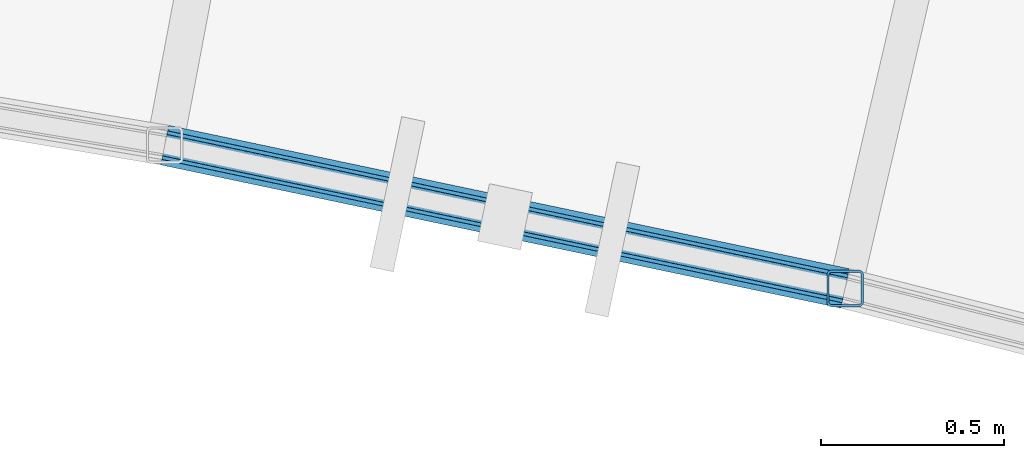
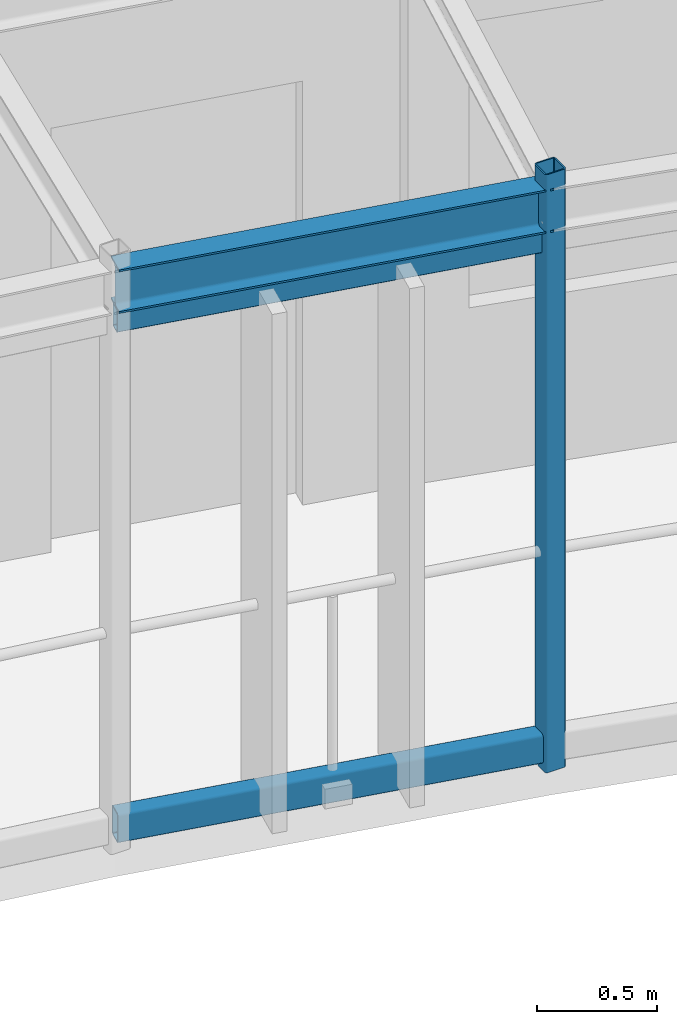
# One storey, part 29 of 100: 3 members, 1 beam.
"""IFC4 building model written with IfcOpenShell, lengths in metres."""

from ifc_helpers import new_model, si_unit, direction, frame, origin, origin_2d, place, context, subcontext, project, spatial, hollow_rectangle, i_section, extrude, material, material_profile, profile_set, type_object, element, save


model = new_model("IFC4")

# Units and contexts
model_context = context("Model", 3, precision=1e-05, world=origin(), true_north=direction((0.0, 1.0)))
body_context = subcontext(model_context, "Body", "Model", "MODEL_VIEW")
ifc_project = project(units=[si_unit("LENGTHUNIT", "METRE"), si_unit("AREAUNIT", "SQUARE_METRE"), si_unit("VOLUMEUNIT", "CUBIC_METRE"), si_unit("PLANEANGLEUNIT", "RADIAN"), si_unit("MASSUNIT", "GRAM", prefix="KILO"), si_unit("POWERUNIT", "WATT"), si_unit("THERMODYNAMICTEMPERATUREUNIT", "KELVIN")], contexts=[model_context])

# Site, building, storey
site_placement = place(None, origin())
site = spatial("IfcSite", under=ifc_project, at=site_placement, CompositionType="ELEMENT")
building_placement = place(site_placement, origin())
building = spatial("IfcBuilding", under=site, at=building_placement, Name="Ruvembo Vaulted Housing Court", CompositionType="ELEMENT")
storey_placement = place(building_placement, frame((0.0, 0.0, 10.89990234375)))
storey = spatial("IfcBuildingStorey", under=building, at=storey_placement, Name="L03", CompositionType="ELEMENT", Elevation=10.89990234375)

# Beam
ifc_material = material(Name="Steel S355J2", Category="steel")
ifc_material_profile_1 = material_profile(ifc_material, i_section(OverallWidth=0.110107421875, OverallDepth=0.219970703125, WebThickness=0.005859375, FlangeThickness=0.00927734375, FilletRadius=0.011962890625, at=origin_2d()), Name="IPE 220")
ifc_profile_set_1 = profile_set([ifc_material_profile_1], Name="Steel S355J2")
beam_type = type_object("IfcBeamType", Name="BM-ST-IPE220", PredefinedType="SPANDREL", material=ifc_profile_set_1)
beam_placement = place(storey_placement, frame((125.505615234375, 95.00341796875, 2.830078125), z_axis=(0.978529342624, -0.206107558387, 0.0), x_axis=(0.206107558387, 0.978529342624, 0.0)))
element("IfcBeam", 1, at=beam_placement, inside=storey, type_object=beam_type, Name="Scoop SC3 L03 Balcony Edge Spandrel 19", PredefinedType="SPANDREL", context=body_context, shape_type="SweptSolid", body=[
    extrude(i_section(OverallWidth=0.110107421875, OverallDepth=0.219970703125, WebThickness=0.005859375, FlangeThickness=0.00927734375, FilletRadius=0.011962890625, at=origin_2d()), origin(), (0.0, 0.0, 1.0), 1.901123046875),
])

# Members
ifc_material_profile_2 = material_profile(ifc_material, hollow_rectangle(XDim=0.06005859375, YDim=0.1201171875, WallThickness=0.0048828125, InnerFilletRadius=0.0048828125, OuterFilletRadius=0.010009765625, at=origin_2d()), Name="RHS 120x60x5")
ifc_profile_set_2 = profile_set([ifc_material_profile_2], Name="Steel S355J2")
member_type_1 = type_object("IfcMemberType", Name="MEM-CAR-RHS120", PredefinedType="CHORD", material=ifc_profile_set_2)
member_1_placement = place(storey_placement, frame((125.505615234375, 95.00341796875, 2.6630859375), z_axis=(0.978529342624, -0.206107558387, 0.0), x_axis=(0.206107558387, 0.978529342624, 0.0)))
element("IfcMember", 2, at=member_1_placement, inside=storey, type_object=member_type_1, Name="Scoop SC3 L03 Upper Louvre Carrier Rail 19", PredefinedType="CHORD", context=body_context, shape_type="SweptSolid", body=[
    extrude(hollow_rectangle(XDim=0.06005859375, YDim=0.1201171875, WallThickness=0.0048828125, InnerFilletRadius=0.0048828125, OuterFilletRadius=0.010009765625, at=origin_2d()), origin(), (0.0, 0.0, 1.0), 1.901123046875),
])
ifc_material_profile_3 = material_profile(ifc_material, hollow_rectangle(XDim=0.080078125, YDim=0.14990234375, WallThickness=0.00634765625, InnerFilletRadius=0.00634765625, OuterFilletRadius=0.0126953125, at=origin_2d()), Name="RHS 150x80x6.3")
ifc_profile_set_3 = profile_set([ifc_material_profile_3], Name="Steel S355J2")
member_type_2 = type_object("IfcMemberType", Name="MEM-CAR-RHS150", PredefinedType="CHORD", material=ifc_profile_set_3)
member_2_placement = place(storey_placement, frame((125.505615234375, 95.00341796875, 0.09521484375), z_axis=(0.978529342624, -0.206107558387, 0.0), x_axis=(0.206107558387, 0.978529342624, 0.0)))
element("IfcMember", 3, at=member_2_placement, inside=storey, type_object=member_type_2, Name="Scoop SC3 L03 Lower Louvre Carrier Rail 19", PredefinedType="CHORD", context=body_context, shape_type="SweptSolid", body=[
    extrude(hollow_rectangle(XDim=0.080078125, YDim=0.14990234375, WallThickness=0.00634765625, InnerFilletRadius=0.00634765625, OuterFilletRadius=0.0126953125, at=origin_2d()), origin(), (0.0, 0.0, 1.0), 1.901123046875),
])
ifc_material_profile_4 = material_profile(ifc_material, hollow_rectangle(XDim=0.10009765625, YDim=0.10009765625, WallThickness=0.00634765625, InnerFilletRadius=0.00634765625, OuterFilletRadius=0.0126953125, at=origin_2d()), Name="SHS 100x100x6.3")
ifc_profile_set_4 = profile_set([ifc_material_profile_4], Name="Steel S355J2")
member_type_3 = type_object("IfcMemberType", Name="MEM-FRM-SHS100", PredefinedType="STRUT", material=ifc_profile_set_4)
member_3_placement = place(storey_placement, frame((127.365966796875, 94.611572265625, -0.014892578125), z_axis=(0.0, 0.0, 1.0), x_axis=(1.0, 0.0, 0.0)))
element("IfcMember", 4, at=member_3_placement, inside=storey, type_object=member_type_3, Name="Scoop SC3 L03 Louvre Frame Post 20", PredefinedType="STRUT", context=body_context, shape_type="SweptSolid", body=[
    extrude(hollow_rectangle(XDim=0.10009765625, YDim=0.10009765625, WallThickness=0.00634765625, InnerFilletRadius=0.00634765625, OuterFilletRadius=0.0126953125, at=origin_2d()), origin(), (0.0, 0.0, 1.0), 3.032958984375),
])

save(model, "model.ifc")
